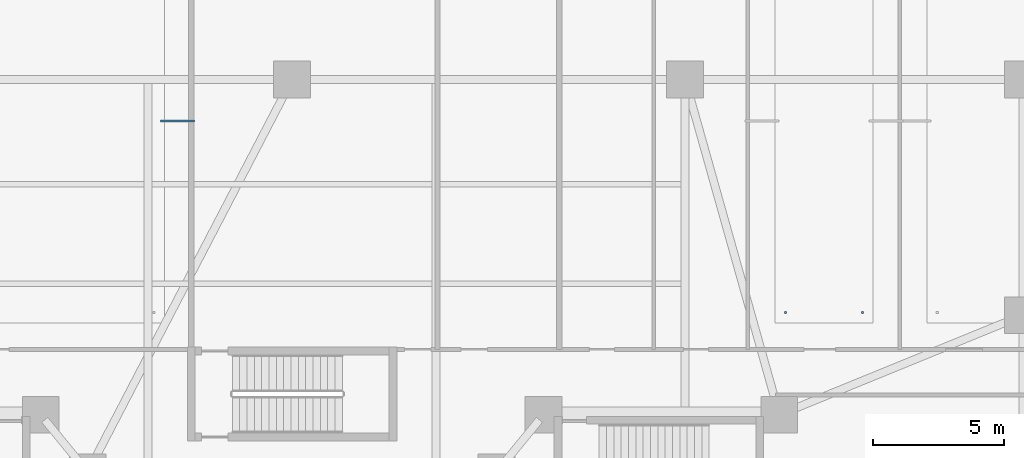
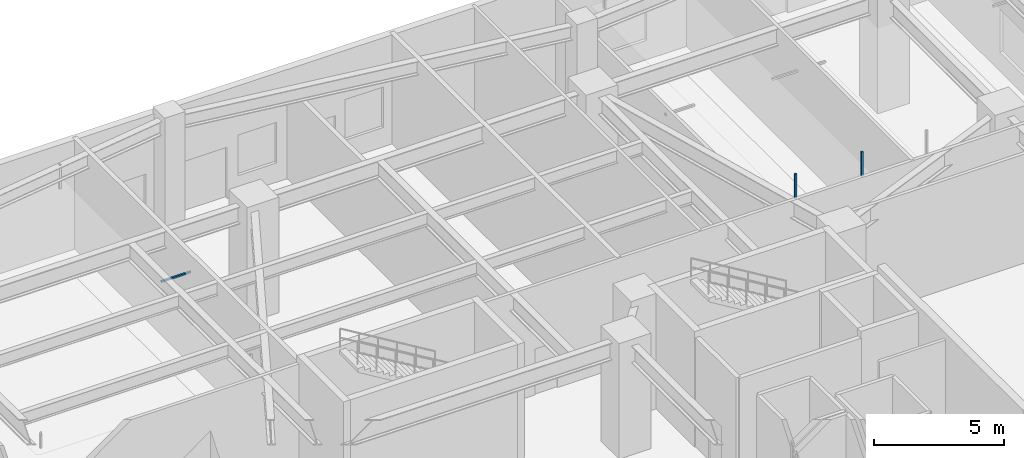
# One storey, part 9 of 18: 3 discrete accessories.
"""IFC4 building model written with IfcOpenShell, lengths in metres."""

from ifc_helpers import new_model, si_unit, direction, frame, origin, origin_2d, place, context, subcontext, project, spatial, rectangle, extrude, material, type_object, element, save


model = new_model("IFC4")

# Units and contexts
model_context = context("Model", 3, precision=1e-05, world=origin(), true_north=direction((0.0, 1.0)))
body_context = subcontext(model_context, "Body", "Model", "MODEL_VIEW")
ifc_project = project(units=[si_unit("LENGTHUNIT", "METRE"), si_unit("AREAUNIT", "SQUARE_METRE"), si_unit("VOLUMEUNIT", "CUBIC_METRE"), si_unit("PLANEANGLEUNIT", "RADIAN"), si_unit("MASSUNIT", "GRAM", prefix="KILO")], contexts=[model_context])

# Site, building, storey
site_placement = place(None, origin())
site = spatial("IfcSite", under=ifc_project, at=site_placement, CompositionType="ELEMENT")
building_placement = place(site_placement, origin())
building = spatial("IfcBuilding", under=site, at=building_placement, Name="Tarnavaz Court Tower", CompositionType="ELEMENT")
storey_placement = place(building_placement, origin())
storey = spatial("IfcBuildingStorey", under=building, at=storey_placement, Name="L00", CompositionType="ELEMENT", Elevation=0.0)

# Discrete accessories
ifc_material = material(Name="Anodised Aluminium 6063-T6", Category="aluminium")
discrete_accessory_type = type_object("IfcDiscreteAccessoryType", Name="DA-BRKT-ALU", PredefinedType="BRACKET", material=ifc_material)
discrete_accessory_placement = place(storey_placement, frame((-4.3701171875, 21.215087890625, 3.952392578125), z_axis=(0.0, 0.0, 1.0), x_axis=(1.0, 0.0, 0.0)))
element("IfcDiscreteAccessory", 1, at=discrete_accessory_placement, inside=storey, type_object=discrete_accessory_type, Name="L00 Ceiling Perimeter Wall-Tie Bracket 02-2", PredefinedType="BRACKET", context=body_context, shape_type="SweptSolid", body=[
    extrude(rectangle(XDim=1.300048828125, YDim=0.080078125, at=origin_2d()), origin(), (0.0, 0.0, 1.0), 0.080078125),
])
for number, where, z_axis, x_axis, name in (
    (2, (18.830078125, 13.89990234375, 3.990234375), (0.0, 0.0, 1.0), (1.0, 0.0, 0.0), "L00 Ceiling Suspension Hanger Bracket 03-1"),
    (3, (21.77001953125, 13.89990234375, 3.990234375), (0.0, 0.0, 1.0), (1.0, 0.0, 0.0), "L00 Ceiling Suspension Hanger Bracket 03-2"),
):
    element("IfcDiscreteAccessory", number, at=place(storey_placement, frame(where, z_axis=z_axis, x_axis=x_axis)), inside=storey, type_object=discrete_accessory_type, Name=name, PredefinedType="BRACKET", context=body_context, shape_type="SweptSolid", body=[
        extrude(rectangle(XDim=0.080078125, YDim=0.080078125, at=origin_2d()), origin(), (0.0, 0.0, 1.0), 1.139892578125),
    ])

save(model, "model.ifc")
